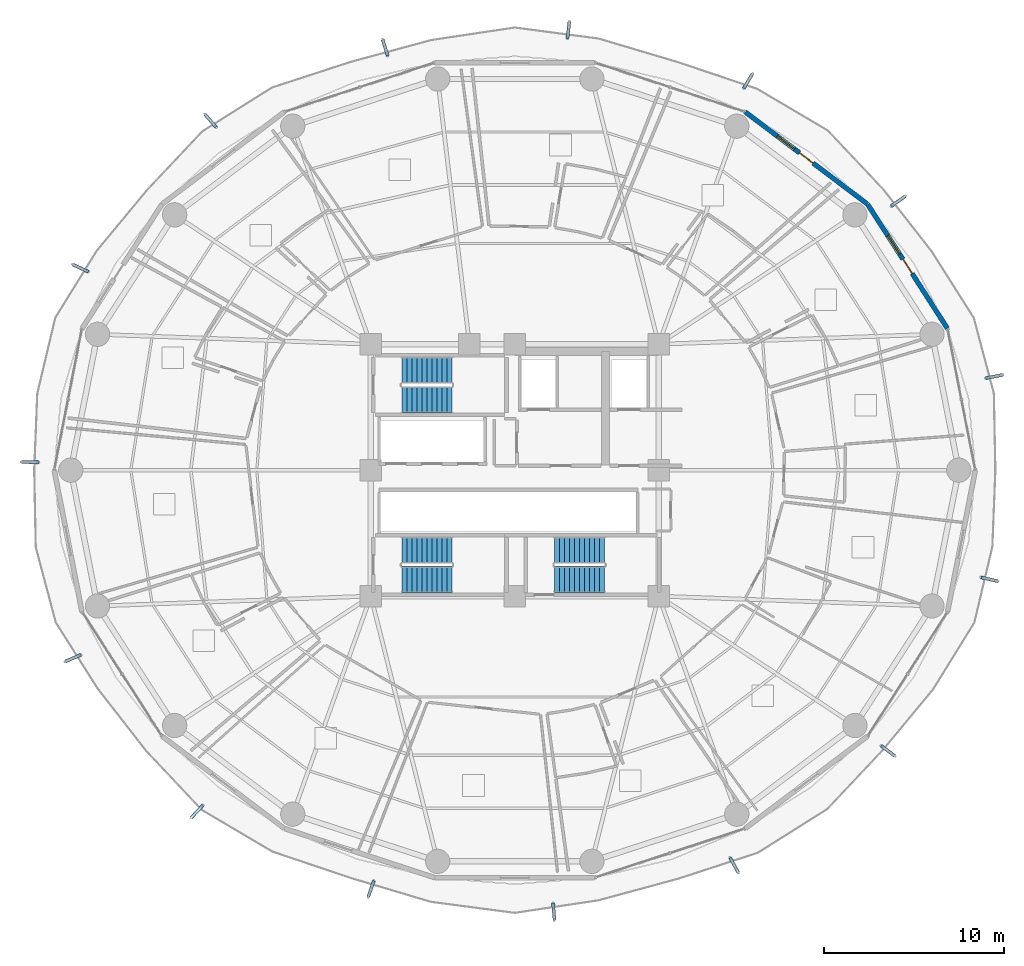
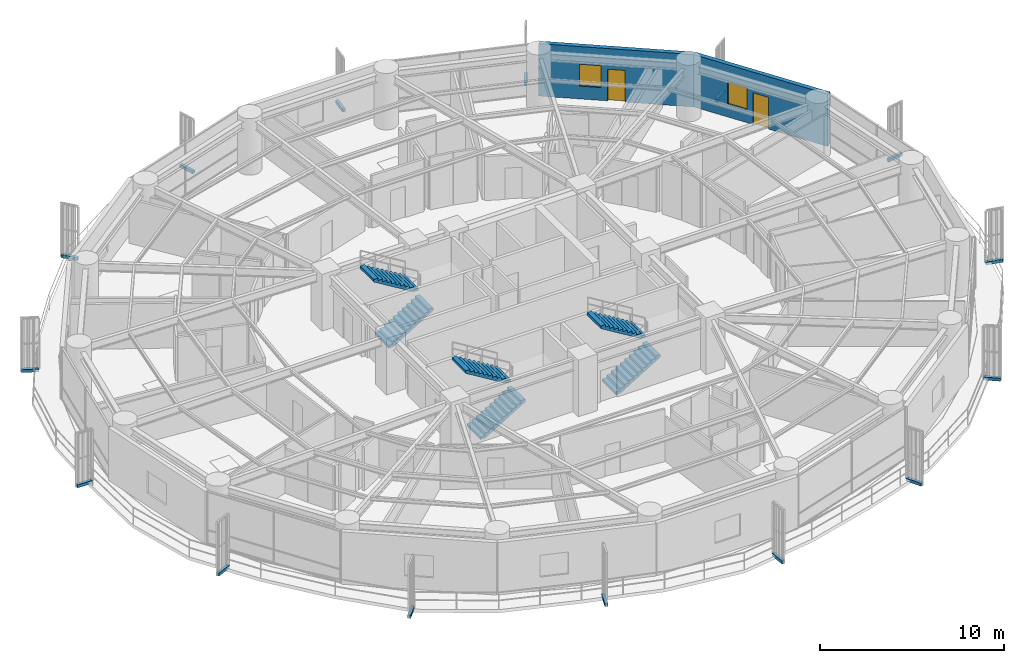
# One storey, part 33 of 37: 15 discrete accessories, 6 stair flights, 2 doors, 2 walls, 2 windows, 4 openings, 3 elements without a shape of their own.
"""IFC4 building model written with IfcOpenShell, lengths in metres."""

from ifc_helpers import new_model, si_unit, direction, frame, frame_2d, origin, origin_2d, place, context, subcontext, project, spatial, polyline, rectangle, outline, extrude, source, transform, mapped, material, layer, layer_set, type_object, element, fill, aggregate, save


model = new_model("IFC4")

# Units and contexts
model_context = context("Model", 3, precision=1e-05, world=origin(), true_north=direction((0.0, 1.0)))
body_context = subcontext(model_context, "Body", "Model", "MODEL_VIEW")
ifc_project = project(units=[si_unit("LENGTHUNIT", "METRE"), si_unit("AREAUNIT", "SQUARE_METRE"), si_unit("VOLUMEUNIT", "CUBIC_METRE"), si_unit("PLANEANGLEUNIT", "RADIAN"), si_unit("MASSUNIT", "GRAM", prefix="KILO")], contexts=[model_context])

# Site, building, storey
site_placement = place(None, origin())
site = spatial("IfcSite", under=ifc_project, at=site_placement, CompositionType="ELEMENT")
building_placement = place(site_placement, origin())
building = spatial("IfcBuilding", under=site, at=building_placement, Name="Kelanora Arch Commons", CompositionType="ELEMENT")
storey_placement = place(building_placement, frame((0.0, 0.0, 113.85009765625)))
storey = spatial("IfcBuildingStorey", under=building, at=storey_placement, Name="L29", CompositionType="ELEMENT", Elevation=113.85009765625)

# Wall, openings, door, window
ifc_material_1 = material(Name="Precast concrete C40/50 with terracotta rainscreen", Category="masonry")
ifc_layer = layer(ifc_material_1, 0.260009765625)
ifc_layer_set = layer_set([ifc_layer], Name="Precast concrete C40/50 with terracotta rainscreen")
wall_type = type_object("IfcWallType", Name="W-EXT-TC", PredefinedType="SOLIDWALL", material=ifc_layer_set)
wall_1_placement = place(storey_placement, frame((98.048095703125, 65.879150390625, 0.0), z_axis=(0.0, 0.0, 1.0), x_axis=(-0.540620528459, 0.841266571432, 0.0)))
wall_1 = element("IfcWall", 1, at=wall_1_placement, inside=storey, type_object=wall_type, Name="Terracotta Exterior Wall L29-B01", PredefinedType="SOLIDWALL", context=body_context, shape_type="SweptSolid", body=[
    extrude(rectangle(XDim=8.19287109375, YDim=0.260009765625, at=frame_2d((4.096435546875, 0.0))), origin(), (0.0, 0.0, 1.0), 3.474853515625),
])
opening_1_placement = place(wall_1_placement, frame((3.62109375, 0.0, 0.0)))
opening_1 = element("IfcOpeningElement", 2, at=opening_1_placement, cuts=wall_1, Name="Opening DB-01", PredefinedType="OPENING", context=body_context, shape_type="SweptSolid", body=[
    extrude(rectangle(XDim=0.949951171875, YDim=2.10009765625, at=frame_2d((0.47509765625, 1.050048828125))), frame((0.0, 0.14013671875, 0.0), z_axis=(0.0, -1.0, 0.0), x_axis=(1.0, 0.0, 0.0)), (0.0, 0.0, 1.0), 0.280029296875),
])
opening_2_placement = place(wall_1_placement, frame((4.9208984375, 0.0, 0.85009765625)))
opening_2 = element("IfcOpeningElement", 3, at=opening_2_placement, cuts=wall_1, Name="Opening WN-02", PredefinedType="OPENING", context=body_context, shape_type="SweptSolid", body=[
    extrude(rectangle(XDim=1.199951171875, YDim=1.449951171875, at=frame_2d((0.60009765625, 0.72509765625))), frame((0.0, 0.14013671875, 0.0), z_axis=(0.0, -1.0, 0.0), x_axis=(1.0, 0.0, 0.0)), (0.0, 0.0, 1.0), 0.280029296875),
])
ifc_material_2 = material(Name="Terracotta-aluminium thermally broken glazed balcony door", Category="masonry")
door_type = type_object("IfcDoorType", Name="D-BAL-10", OperationType="NOTDEFINED", PredefinedType="DOOR", material=ifc_material_2)
door_1_placement = place(opening_1_placement, frame((0.949951171875, 0.0, 0.0), z_axis=(0.0, 0.0, 1.0), x_axis=(-1.0, 0.0, 0.0)))
door_1 = element("IfcDoor", 4, at=door_1_placement, inside=storey, type_object=door_type, Name="Wave Balcony Door L29-B01", OperationType="SINGLE_SWING_LEFT", OverallHeight=2.10009765625, OverallWidth=0.949951171875, PredefinedType="DOOR", context=body_context, shape_type="SweptSolid", body=[
    extrude(rectangle(XDim=0.949951171875, YDim=2.10009765625, at=frame_2d((0.47509765625, 1.050048828125))), frame((0.0, 0.02490234375, 0.0), z_axis=(0.0, -1.0, 0.0), x_axis=(1.0, 0.0, 0.0)), (0.0, 0.0, 1.0), 0.050048828125),
])
fill(opening_1, door_1)
ifc_material_3 = material(Name="Terracotta-anodised aluminium frame with operable awning sash", Category="masonry")
window_type = type_object("IfcWindowType", Name="WIN-CL-12", PartitioningType="SINGLE_PANEL", PredefinedType="WINDOW", material=ifc_material_3)
window_1_placement = place(opening_2_placement, origin())
window_1 = element("IfcWindow", 5, at=window_1_placement, inside=storey, type_object=window_type, Name="Co-Living Operable Window L29-B01", OverallHeight=1.449951171875, OverallWidth=1.199951171875, PartitioningType="SINGLE_PANEL", PredefinedType="WINDOW", context=body_context, shape_type="SweptSolid", body=[
    extrude(rectangle(XDim=1.199951171875, YDim=1.449951171875, at=frame_2d((0.60009765625, 0.72509765625))), frame((0.0, 0.030029296875, 0.0), z_axis=(0.0, -1.0, 0.0), x_axis=(1.0, 0.0, 0.0)), (0.0, 0.0, 1.0), 0.06005859375),
])
fill(opening_2, window_1)

wall_2_placement = place(storey_placement, frame((93.5986328125, 72.793212890625, 0.0), z_axis=(0.0, 0.0, 1.0), x_axis=(-0.798501507879, 0.601992808857, 0.0)))
wall_2 = element("IfcWall", 6, at=wall_2_placement, inside=storey, type_object=wall_type, Name="Terracotta Exterior Wall L29-B02", PredefinedType="SOLIDWALL", context=body_context, shape_type="SweptSolid", body=[
    extrude(rectangle(XDim=8.499267578125, YDim=0.260009765625, at=frame_2d((4.24951171875, 0.0))), origin(), (0.0, 0.0, 1.0), 3.474853515625),
])
opening_3_placement = place(wall_2_placement, frame((3.77490234375, 0.0, 0.0)))
opening_3 = element("IfcOpeningElement", 7, at=opening_3_placement, cuts=wall_2, Name="Opening DB-01", PredefinedType="OPENING", context=body_context, shape_type="SweptSolid", body=[
    extrude(rectangle(XDim=0.949951171875, YDim=2.10009765625, at=frame_2d((0.47509765625, 1.050048828125))), frame((0.0, 0.14013671875, 0.0), z_axis=(0.0, -1.0, 0.0), x_axis=(1.0, 0.0, 0.0)), (0.0, 0.0, 1.0), 0.280029296875),
])
opening_4_placement = place(wall_2_placement, frame((5.074951171875, 0.0, 0.85009765625)))
opening_4 = element("IfcOpeningElement", 8, at=opening_4_placement, cuts=wall_2, Name="Opening WN-02", PredefinedType="OPENING", context=body_context, shape_type="SweptSolid", body=[
    extrude(rectangle(XDim=1.199951171875, YDim=1.449951171875, at=frame_2d((0.60009765625, 0.72509765625))), frame((0.0, 0.14013671875, 0.0), z_axis=(0.0, -1.0, 0.0), x_axis=(1.0, 0.0, 0.0)), (0.0, 0.0, 1.0), 0.280029296875),
])
door_2_placement = place(opening_3_placement, frame((0.949951171875, 0.0, 0.0), z_axis=(0.0, 0.0, 1.0), x_axis=(-1.0, 0.0, 0.0)))
door_2 = element("IfcDoor", 9, at=door_2_placement, inside=storey, type_object=door_type, Name="Wave Balcony Door L29-B02", OperationType="SINGLE_SWING_RIGHT", OverallHeight=2.10009765625, OverallWidth=0.949951171875, PredefinedType="DOOR", context=body_context, shape_type="SweptSolid", body=[
    extrude(rectangle(XDim=0.949951171875, YDim=2.10009765625, at=frame_2d((0.47509765625, 1.050048828125))), frame((0.0, 0.02490234375, 0.0), z_axis=(0.0, -1.0, 0.0), x_axis=(1.0, 0.0, 0.0)), (0.0, 0.0, 1.0), 0.050048828125),
])
fill(opening_3, door_2)
window_2_placement = place(opening_4_placement, origin())
window_2 = element("IfcWindow", 10, at=window_2_placement, inside=storey, type_object=window_type, Name="Co-Living Operable Window L29-B02", OverallHeight=1.449951171875, OverallWidth=1.199951171875, PartitioningType="SINGLE_PANEL", PredefinedType="WINDOW", context=body_context, shape_type="SweptSolid", body=[
    extrude(rectangle(XDim=1.199951171875, YDim=1.449951171875, at=frame_2d((0.60009765625, 0.72509765625))), frame((0.0, 0.030029296875, 0.0), z_axis=(0.0, -1.0, 0.0), x_axis=(1.0, 0.0, 0.0)), (0.0, 0.0, 1.0), 0.06005859375),
])
fill(opening_4, window_2)

# Stair, stair flights
ifc_material_4 = material(Name="Concrete C40/50", Category="concrete")
stair_type = type_object("IfcStairType", Name="STR-DL-375", PredefinedType="HALF_TURN_STAIR", material=ifc_material_4)
stair_1_placement = place(storey_placement, origin())
stair_1 = element("IfcStair", 11, at=stair_1_placement, inside=storey, type_object=stair_type, Name="L29 ST-T1", PredefinedType="HALF_TURN_STAIR")
stair_flight_type = type_object("IfcStairFlightType", Name="FLT-DL-375", PredefinedType="STRAIGHT", material=ifc_material_4)
stair_flight_1_placement = place(storey_placement, frame((67.719970703125, 61.919921875, 0.0), z_axis=(0.0, 0.0, 1.0), x_axis=(1.0, 0.0, 0.0)))
stair_flight_1 = element("IfcStairFlight", 12, at=stair_flight_1_placement, type_object=stair_flight_type, Name="ST-T1 flight 1", NumberOfRisers=11, NumberOfTreads=10, PredefinedType="STRAIGHT", RiserHeight=0.170454545, TreadLength=0.28, context=body_context, shape_type="SweptSolid", body=[
    extrude(outline(polyline([(0.0, 0.0), (0.0, 0.17041015625), (0.280029296875, 0.17041015625), (0.280029296875, 0.3408203125), (0.56005859375, 0.3408203125), (0.56005859375, 0.511474609375), (0.840087890625, 0.511474609375), (0.840087890625, 0.681884765625), (1.1201171875, 0.681884765625), (1.1201171875, 0.852294921875), (1.39990234375, 0.852294921875), (1.39990234375, 1.022705078125), (1.679931640625, 1.022705078125), (1.679931640625, 1.193115234375), (1.9599609375, 1.193115234375), (1.9599609375, 1.363525390625), (2.239990234375, 1.363525390625), (2.239990234375, 1.5341796875), (2.52001953125, 1.5341796875), (2.52001953125, 1.70458984375), (2.800048828125, 1.70458984375), (2.800048828125, 1.875), (2.800048828125, 1.529052734375), (0.288330078125, 0.0), (0.0, 0.0)])), frame((0.0, 0.739990234375, 0.0), z_axis=(0.0, -1.0, 0.0), x_axis=(1.0, 0.0, 0.0)), (0.0, 0.0, 1.0), 1.47998046875),
])
stair_flight_2_placement = place(storey_placement, frame((70.52001953125, 63.550048828125, 1.875), z_axis=(0.0, 0.0, 1.0), x_axis=(-1.0, 0.0, 0.0)))
stair_flight_2 = element("IfcStairFlight", 13, at=stair_flight_2_placement, type_object=stair_flight_type, Name="ST-T1 flight 2", NumberOfRisers=11, NumberOfTreads=10, PredefinedType="STRAIGHT", RiserHeight=0.170454545, TreadLength=0.28, context=body_context, shape_type="SweptSolid", body=[
    extrude(outline(polyline([(0.0, 0.0), (0.0, 0.17041015625), (0.280029296875, 0.17041015625), (0.280029296875, 0.3408203125), (0.56005859375, 0.3408203125), (0.56005859375, 0.511474609375), (0.840087890625, 0.511474609375), (0.840087890625, 0.681884765625), (1.1201171875, 0.681884765625), (1.1201171875, 0.852294921875), (1.39990234375, 0.852294921875), (1.39990234375, 1.022705078125), (1.679931640625, 1.022705078125), (1.679931640625, 1.193115234375), (1.9599609375, 1.193115234375), (1.9599609375, 1.363525390625), (2.239990234375, 1.363525390625), (2.239990234375, 1.5341796875), (2.52001953125, 1.5341796875), (2.52001953125, 1.70458984375), (2.800048828125, 1.70458984375), (2.800048828125, 1.875), (2.800048828125, 1.529052734375), (0.288330078125, 0.0), (0.0, 0.0)])), frame((0.0, 0.739990234375, 0.0), z_axis=(0.0, -1.0, 0.0), x_axis=(1.0, 0.0, 0.0)), (0.0, 0.0, 1.0), 1.47998046875),
])
aggregate(stair_1, [stair_flight_1, stair_flight_2])

stair_2_placement = place(storey_placement, origin())
stair_2 = element("IfcStair", 14, at=stair_2_placement, inside=storey, type_object=stair_type, Name="L29 ST-T2", PredefinedType="HALF_TURN_STAIR")
stair_flight_3_placement = place(storey_placement, frame((76.199951171875, 51.919921875, 0.0), z_axis=(0.0, 0.0, 1.0), x_axis=(1.0, 0.0, 0.0)))
stair_flight_3 = element("IfcStairFlight", 15, at=stair_flight_3_placement, type_object=stair_flight_type, Name="ST-T2 flight 1", NumberOfRisers=11, NumberOfTreads=10, PredefinedType="STRAIGHT", RiserHeight=0.170454545, TreadLength=0.28, context=body_context, shape_type="SweptSolid", body=[
    extrude(outline(polyline([(0.0, 0.0), (0.0, 0.17041015625), (0.280029296875, 0.17041015625), (0.280029296875, 0.3408203125), (0.56005859375, 0.3408203125), (0.56005859375, 0.511474609375), (0.840087890625, 0.511474609375), (0.840087890625, 0.681884765625), (1.1201171875, 0.681884765625), (1.1201171875, 0.852294921875), (1.39990234375, 0.852294921875), (1.39990234375, 1.022705078125), (1.679931640625, 1.022705078125), (1.679931640625, 1.193115234375), (1.9599609375, 1.193115234375), (1.9599609375, 1.363525390625), (2.239990234375, 1.363525390625), (2.239990234375, 1.5341796875), (2.52001953125, 1.5341796875), (2.52001953125, 1.70458984375), (2.800048828125, 1.70458984375), (2.800048828125, 1.875), (2.800048828125, 1.529052734375), (0.288330078125, 0.0), (0.0, 0.0)])), frame((0.0, 0.739990234375, 0.0), z_axis=(0.0, -1.0, 0.0), x_axis=(1.0, 0.0, 0.0)), (0.0, 0.0, 1.0), 1.47998046875),
])
stair_flight_4_placement = place(storey_placement, frame((79.0, 53.550048828125, 1.875), z_axis=(0.0, 0.0, 1.0), x_axis=(-1.0, 0.0, 0.0)))
stair_flight_4 = element("IfcStairFlight", 16, at=stair_flight_4_placement, type_object=stair_flight_type, Name="ST-T2 flight 2", NumberOfRisers=11, NumberOfTreads=10, PredefinedType="STRAIGHT", RiserHeight=0.170454545, TreadLength=0.28, context=body_context, shape_type="SweptSolid", body=[
    extrude(outline(polyline([(0.0, 0.0), (0.0, 0.17041015625), (0.280029296875, 0.17041015625), (0.280029296875, 0.3408203125), (0.56005859375, 0.3408203125), (0.56005859375, 0.511474609375), (0.840087890625, 0.511474609375), (0.840087890625, 0.681884765625), (1.1201171875, 0.681884765625), (1.1201171875, 0.852294921875), (1.39990234375, 0.852294921875), (1.39990234375, 1.022705078125), (1.679931640625, 1.022705078125), (1.679931640625, 1.193115234375), (1.9599609375, 1.193115234375), (1.9599609375, 1.363525390625), (2.239990234375, 1.363525390625), (2.239990234375, 1.5341796875), (2.52001953125, 1.5341796875), (2.52001953125, 1.70458984375), (2.800048828125, 1.70458984375), (2.800048828125, 1.875), (2.800048828125, 1.529052734375), (0.288330078125, 0.0), (0.0, 0.0)])), frame((0.0, 0.739990234375, 0.0), z_axis=(0.0, -1.0, 0.0), x_axis=(1.0, 0.0, 0.0)), (0.0, 0.0, 1.0), 1.47998046875),
])
aggregate(stair_2, [stair_flight_3, stair_flight_4])

stair_3_placement = place(storey_placement, origin())
stair_3 = element("IfcStair", 17, at=stair_3_placement, inside=storey, type_object=stair_type, Name="L29 ST-T3", PredefinedType="HALF_TURN_STAIR")
stair_flight_5_placement = place(storey_placement, frame((67.719970703125, 51.919921875, 0.0), z_axis=(0.0, 0.0, 1.0), x_axis=(1.0, 0.0, 0.0)))
stair_flight_5 = element("IfcStairFlight", 18, at=stair_flight_5_placement, type_object=stair_flight_type, Name="ST-T3 flight 1", NumberOfRisers=11, NumberOfTreads=10, PredefinedType="STRAIGHT", RiserHeight=0.170454545, TreadLength=0.28, context=body_context, shape_type="SweptSolid", body=[
    extrude(outline(polyline([(0.0, 0.0), (0.0, 0.17041015625), (0.280029296875, 0.17041015625), (0.280029296875, 0.3408203125), (0.56005859375, 0.3408203125), (0.56005859375, 0.511474609375), (0.840087890625, 0.511474609375), (0.840087890625, 0.681884765625), (1.1201171875, 0.681884765625), (1.1201171875, 0.852294921875), (1.39990234375, 0.852294921875), (1.39990234375, 1.022705078125), (1.679931640625, 1.022705078125), (1.679931640625, 1.193115234375), (1.9599609375, 1.193115234375), (1.9599609375, 1.363525390625), (2.239990234375, 1.363525390625), (2.239990234375, 1.5341796875), (2.52001953125, 1.5341796875), (2.52001953125, 1.70458984375), (2.800048828125, 1.70458984375), (2.800048828125, 1.875), (2.800048828125, 1.529052734375), (0.288330078125, 0.0), (0.0, 0.0)])), frame((0.0, 0.739990234375, 0.0), z_axis=(0.0, -1.0, 0.0), x_axis=(1.0, 0.0, 0.0)), (0.0, 0.0, 1.0), 1.47998046875),
])
stair_flight_6_placement = place(storey_placement, frame((70.52001953125, 53.550048828125, 1.875), z_axis=(0.0, 0.0, 1.0), x_axis=(-1.0, 0.0, 0.0)))
stair_flight_6 = element("IfcStairFlight", 19, at=stair_flight_6_placement, type_object=stair_flight_type, Name="ST-T3 flight 2", NumberOfRisers=11, NumberOfTreads=10, PredefinedType="STRAIGHT", RiserHeight=0.170454545, TreadLength=0.28, context=body_context, shape_type="SweptSolid", body=[
    extrude(outline(polyline([(0.0, 0.0), (0.0, 0.17041015625), (0.280029296875, 0.17041015625), (0.280029296875, 0.3408203125), (0.56005859375, 0.3408203125), (0.56005859375, 0.511474609375), (0.840087890625, 0.511474609375), (0.840087890625, 0.681884765625), (1.1201171875, 0.681884765625), (1.1201171875, 0.852294921875), (1.39990234375, 0.852294921875), (1.39990234375, 1.022705078125), (1.679931640625, 1.022705078125), (1.679931640625, 1.193115234375), (1.9599609375, 1.193115234375), (1.9599609375, 1.363525390625), (2.239990234375, 1.363525390625), (2.239990234375, 1.5341796875), (2.52001953125, 1.5341796875), (2.52001953125, 1.70458984375), (2.800048828125, 1.70458984375), (2.800048828125, 1.875), (2.800048828125, 1.529052734375), (0.288330078125, 0.0), (0.0, 0.0)])), frame((0.0, 0.739990234375, 0.0), z_axis=(0.0, -1.0, 0.0), x_axis=(1.0, 0.0, 0.0)), (0.0, 0.0, 1.0), 1.47998046875),
])
aggregate(stair_3, [stair_flight_5, stair_flight_6])

# Discrete accessories
ifc_material_5 = material(Name="Stainless steel 316 marine fin bracket", Category="steel")
discrete_accessory_type = type_object("IfcDiscreteAccessoryType", Name="ACC-FIN-BRK", PredefinedType="BRACKET", material=ifc_material_5)
shared_shape = source(origin(), body_context, "Body", "SweptSolid", [
    extrude(rectangle(XDim=0.951416015625, YDim=0.179931640625, at=origin_2d()), origin(), (0.0, 0.0, 1.0), 0.199951171875),
])
for number, where, z_axis, x_axis, name in (
    (20, (95.3154296875, 72.9541015625, -0.16015625), (0.0, 0.0, 1.0), (0.818651192576, 0.574291062871, 0.0), "Sweeping Fin Cantilever Spine Bracket L29-00"),
    (21, (86.97119140625, 79.6318359375, -0.16015625), (0.0, 0.0, 1.0), (0.514289859311, 0.857616429769, 0.0), "Sweeping Fin Cantilever Spine Bracket L29-01"),
    (22, (76.982177734375, 82.47119140625, -0.16015625), (0.0, 0.0, 1.0), (0.121003137194, 0.992652124759, 0.0), "Sweeping Fin Cantilever Spine Bracket L29-02"),
    (23, (66.7978515625, 81.480712890625, -0.16015625), (0.0, 0.0, 1.0), (-0.293206126622, 0.956049249417, 0.0), "Sweeping Fin Cantilever Spine Bracket L29-03"),
    (24, (57.087646484375, 77.419921875, -0.16015625), (0.0, 0.0, 1.0), (-0.656717387452, 0.754136773416, 0.0), "Sweeping Fin Cantilever Spine Bracket L29-04"),
    (25, (49.864501953125, 69.227783203125, -0.16015625), (0.0, 0.0, 1.0), (-0.906676245901, 0.421827198174, 0.0), "Sweeping Fin Cantilever Spine Bracket L29-05"),
    (26, (47.048828125, 58.446044921875, -0.16015625), (0.0, 0.0, 1.0), (-0.999862544538, 0.016579868188, 0.0), "Sweeping Fin Cantilever Spine Bracket L29-06"),
    (27, (49.44580078125, 47.551025390625, -0.16015625), (0.0, 0.0, 1.0), (-0.920163525759, -0.391534271632, 0.0), "Sweeping Fin Cantilever Spine Bracket L29-07"),
    (28, (56.338134765625, 39.025390625, -0.16015625), (0.0, 0.0, 1.0), (-0.681359873953, -0.731948578909, 0.0), "Sweeping Fin Cantilever Spine Bracket L29-08"),
    (29, (66.01171875, 34.7314453125, -0.16015625), (0.0, 0.0, 1.0), (-0.324742909981, -0.945802327348, 0.0), "Sweeping Fin Cantilever Spine Bracket L29-09"),
    (30, (76.169189453125, 33.462158203125, -0.16015625), (0.0, 0.0, 1.0), (0.088025053325, -0.996118261045, 0.0), "Sweeping Fin Cantilever Spine Bracket L29-10"),
    (31, (86.197265625, 36.042724609375, -0.16015625), (0.0, 0.0, 1.0), (0.485572685227, -0.874196297957, 0.0), "Sweeping Fin Cantilever Spine Bracket L29-11"),
    (32, (94.7451171875, 42.39697265625, -0.16015625), (0.0, 0.0, 1.0), (0.799160388565, -0.601117853128, 0.0), "Sweeping Fin Cantilever Spine Bracket L29-12"),
    (33, (100.377685546875, 51.935302734375, -0.16015625), (0.0, 0.0, 1.0), (0.974566000575, -0.224100670509, 0.0), "Sweeping Fin Cantilever Spine Bracket L29-13"),
    (34, (100.64501953125, 63.204345703125, -0.16015625), (0.0, 0.0, 1.0), (0.981460297432, 0.191665553932, 0.0), "Sweeping Fin Cantilever Spine Bracket L29-14"),
):
    element("IfcDiscreteAccessory", number, at=place(storey_placement, frame(where, z_axis=z_axis, x_axis=x_axis)), inside=storey, type_object=discrete_accessory_type, Name=name, PredefinedType="BRACKET", context=body_context, shape_type="MappedRepresentation", body=[
        mapped(shared_shape, transform((0.0, 0.0, 0.0), scale=1.0)),
    ])

save(model, "model.ifc")
